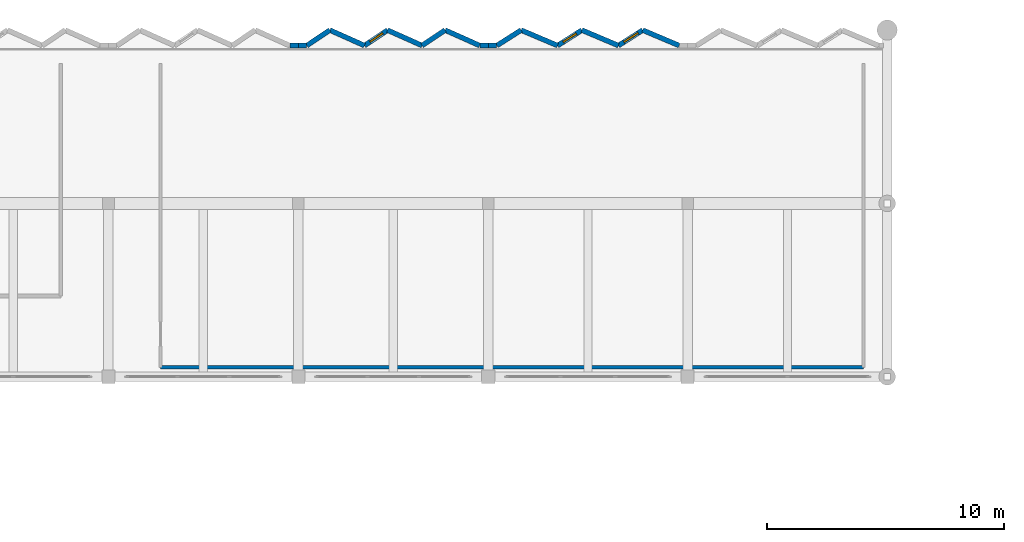
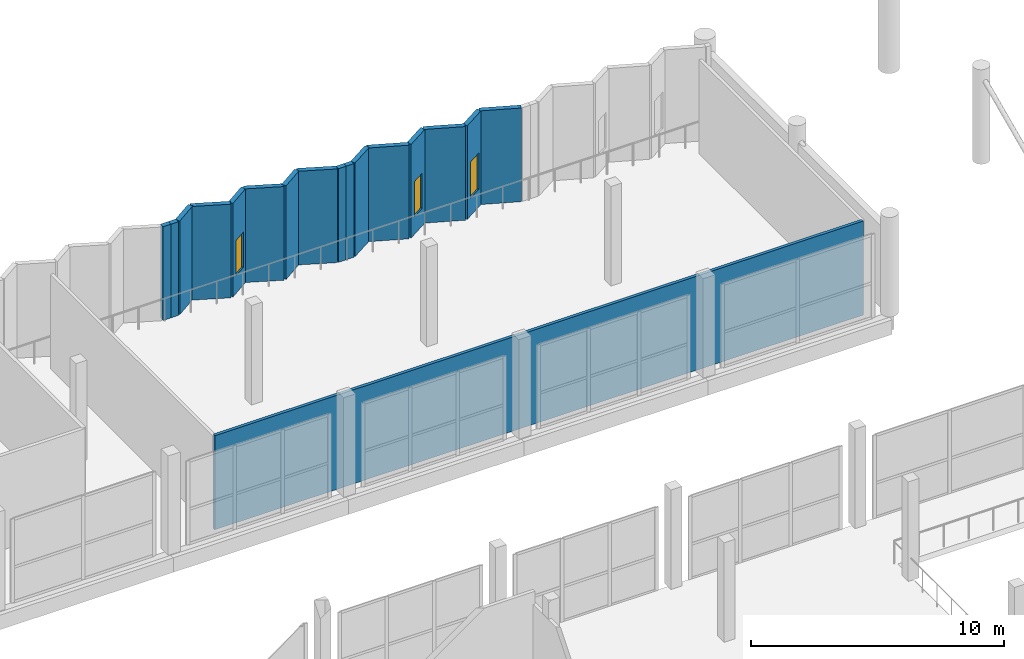
# One storey, part 36 of 47: 17 walls, 3 windows, 3 openings.
"""IFC4 building model written with IfcOpenShell, lengths in metres."""

from ifc_helpers import new_model, si_unit, direction, frame, frame_2d, origin, place, context, subcontext, project, spatial, rectangle, extrude, material, layer, layer_set, type_object, element, fill, save


model = new_model("IFC4")

# Units and contexts
model_context = context("Model", 3, precision=1e-05, world=origin(), true_north=direction((0.0, 1.0)))
body_context = subcontext(model_context, "Body", "Model", "MODEL_VIEW")
ifc_project = project(units=[si_unit("LENGTHUNIT", "METRE"), si_unit("AREAUNIT", "SQUARE_METRE"), si_unit("VOLUMEUNIT", "CUBIC_METRE"), si_unit("PLANEANGLEUNIT", "RADIAN"), si_unit("MASSUNIT", "GRAM", prefix="KILO")], contexts=[model_context])

# Site, building, storey
site_placement = place(None, origin())
site = spatial("IfcSite", under=ifc_project, at=site_placement, CompositionType="ELEMENT")
building_placement = place(site_placement, origin())
building = spatial("IfcBuilding", under=site, at=building_placement, Name="Vharandega Faculty of Natural Sciences", CompositionType="ELEMENT")
storey_placement = place(building_placement, frame((0.0, 0.0, 5.39990234375)))
storey = spatial("IfcBuildingStorey", under=building, at=storey_placement, Name="L01", CompositionType="ELEMENT", Elevation=5.39990234375)

# Walls
ifc_material_1 = material(Name="Precast concrete C40/50", Category="concrete")
ifc_layer_1 = layer(ifc_material_1, 0.2099609375, Name="Precast concrete C40/50")
ifc_layer_set_1 = layer_set([ifc_layer_1], Name="Precast concrete C40/50")
wall_type_1 = type_object("IfcWallType", Name="Commons Sawtooth Street Wall 210", PredefinedType="SOLIDWALL", material=ifc_layer_set_1)
for number, where, z_axis, x_axis, name in (
    (1, (47.64990234375, 110.949951171875, 0.0), (0.0, 0.0, 1.0), (1.0, 0.0, 0.0), "Exterior Wall EW-V2SHL-L01-7R"),
    (2, (48.0, 110.949951171875, 0.0), (0.0, 0.0, 1.0), (1.0, 0.0, 0.0), "Exterior Wall EW-V2SHL-L01-7L"),
    (3, (55.64990234375, 110.949951171875, 0.0), (0.0, 0.0, 1.0), (1.0, 0.0, 0.0), "Exterior Wall EW-V2SHL-L01-8R"),
    (4, (56.0, 110.949951171875, 0.0), (0.0, 0.0, 1.0), (1.0, 0.0, 0.0), "Exterior Wall EW-V2SHL-L01-8L"),
):
    element("IfcWall", number, at=place(storey_placement, frame(where, z_axis=z_axis, x_axis=x_axis)), inside=storey, type_object=wall_type_1, Name=name, PredefinedType="SOLIDWALL", context=body_context, shape_type="SweptSolid", body=[
        extrude(rectangle(XDim=0.35009765625, YDim=0.2099609375, at=frame_2d((0.175048828125, 0.0))), origin(), (0.0, 0.0, 1.0), 4.52001953125),
    ])
wall_1_placement = place(storey_placement, frame((48.360107421875, 110.949951171875, 0.0), z_axis=(0.0, 0.0, 1.0), x_axis=(0.830858868059, 0.556483190553, 0.0)))
element("IfcWall", 5, at=wall_1_placement, inside=storey, type_object=wall_type_1, Name="Exterior Wall EW-V2SAW-L01-19G", PredefinedType="SOLIDWALL", context=body_context, shape_type="SweptSolid", body=[
    extrude(rectangle(XDim=1.168212890625, YDim=0.2099609375, at=frame_2d((0.583984375, 0.0))), origin(), (0.0, 0.0, 1.0), 4.52001953125),
])
wall_2_placement = place(storey_placement, frame((49.330810546875, 111.60009765625, 0.0), z_axis=(0.0, 0.0, 1.0), x_axis=(0.913083928543, -0.407771675618, 0.0)))
element("IfcWall", 6, at=wall_2_placement, inside=storey, type_object=wall_type_1, Name="Exterior Wall EW-V2SAW-L01-19S", PredefinedType="SOLIDWALL", context=body_context, shape_type="SweptSolid", body=[
    extrude(rectangle(XDim=1.594482421875, YDim=0.2099609375, at=frame_2d((0.79736328125, 0.0))), origin(), (0.0, 0.0, 1.0), 4.52001953125),
])

# Wall, opening, window
wall_3_placement = place(storey_placement, frame((50.78662109375, 110.949951171875, 0.0), z_axis=(0.0, 0.0, 1.0), x_axis=(0.830858868059, 0.556483190553, 0.0)))
wall_3 = element("IfcWall", 7, at=wall_3_placement, inside=storey, type_object=wall_type_1, Name="Exterior Wall EW-V2SAW-L01-20G", PredefinedType="SOLIDWALL", context=body_context, shape_type="SweptSolid", body=[
    extrude(rectangle(XDim=1.168212890625, YDim=0.2099609375, at=frame_2d((0.583984375, 0.0))), origin(), (0.0, 0.0, 1.0), 4.52001953125),
])
opening_1_placement = place(wall_3_placement, frame((0.280029296875, 0.0, 0.85009765625)))
opening_1 = element("IfcOpeningElement", 8, at=opening_1_placement, cuts=wall_3, Name="Opening WN-07", PredefinedType="OPENING", context=body_context, shape_type="SweptSolid", body=[
    extrude(rectangle(XDim=0.64990234375, YDim=1.699951171875, at=frame_2d((0.324951171875, 0.85009765625))), frame((0.0, 0.114990234375, 0.0), z_axis=(0.0, -1.0, 0.0), x_axis=(1.0, 0.0, 0.0)), (0.0, 0.0, 1.0), 0.22998046875),
])
ifc_material_2 = material(Name="Double-glazed solar-control glass in thermally broken aluminium frame", Category="aluminium")
window_type_1 = type_object("IfcWindowType", Name="WIN-COM-065x170", PartitioningType="SINGLE_PANEL", PredefinedType="WINDOW", material=ifc_material_2)
window_1_placement = place(opening_1_placement, origin())
window_1 = element("IfcWindow", 9, at=window_1_placement, inside=storey, type_object=window_type_1, Name="Window WIN-L01-0165", OverallHeight=1.699951171875, OverallWidth=0.64990234375, PartitioningType="SINGLE_PANEL", PredefinedType="WINDOW", context=body_context, shape_type="SweptSolid", body=[
    extrude(rectangle(XDim=0.64990234375, YDim=1.699951171875, at=frame_2d((0.324951171875, 0.85009765625))), frame((0.0, 0.030029296875, 0.0), z_axis=(0.0, -1.0, 0.0), x_axis=(1.0, 0.0, 0.0)), (0.0, 0.0, 1.0), 0.06005859375),
])
fill(opening_1, window_1)

# Walls
wall_4_placement = place(storey_placement, frame((51.75732421875, 111.60009765625, 0.0), z_axis=(0.0, 0.0, 1.0), x_axis=(0.913109384471, -0.407714669826, 0.0)))
element("IfcWall", 10, at=wall_4_placement, inside=storey, type_object=wall_type_1, Name="Exterior Wall EW-V2SAW-L01-20S", PredefinedType="SOLIDWALL", context=body_context, shape_type="SweptSolid", body=[
    extrude(rectangle(XDim=1.5947265625, YDim=0.2099609375, at=frame_2d((0.79736328125, 0.0))), origin(), (0.0, 0.0, 1.0), 4.52001953125),
])
wall_5_placement = place(storey_placement, frame((53.21337890625, 110.949951171875, 0.0), z_axis=(0.0, 0.0, 1.0), x_axis=(0.830858868059, 0.556483190553, 0.0)))
element("IfcWall", 11, at=wall_5_placement, inside=storey, type_object=wall_type_1, Name="Exterior Wall EW-V2SAW-L01-21G", PredefinedType="SOLIDWALL", context=body_context, shape_type="SweptSolid", body=[
    extrude(rectangle(XDim=1.168212890625, YDim=0.2099609375, at=frame_2d((0.583984375, 0.0))), origin(), (0.0, 0.0, 1.0), 4.52001953125),
])
wall_6_placement = place(storey_placement, frame((54.18408203125, 111.60009765625, 0.0), z_axis=(0.0, 0.0, 1.0), x_axis=(0.913083928543, -0.407771675618, 0.0)))
element("IfcWall", 12, at=wall_6_placement, inside=storey, type_object=wall_type_1, Name="Exterior Wall EW-V2SAW-L01-21S", PredefinedType="SOLIDWALL", context=body_context, shape_type="SweptSolid", body=[
    extrude(rectangle(XDim=1.594482421875, YDim=0.2099609375, at=frame_2d((0.79736328125, 0.0))), origin(), (0.0, 0.0, 1.0), 4.52001953125),
])
wall_7_placement = place(storey_placement, frame((56.360107421875, 110.949951171875, 0.0), z_axis=(0.0, 0.0, 1.0), x_axis=(0.844199803058, 0.536028630315, 0.0)))
element("IfcWall", 13, at=wall_7_placement, inside=storey, type_object=wall_type_1, Name="Exterior Wall EW-V2SAW-L01-22G", PredefinedType="SOLIDWALL", context=body_context, shape_type="SweptSolid", body=[
    extrude(rectangle(XDim=1.212890625, YDim=0.2099609375, at=frame_2d((0.6064453125, 0.0))), origin(), (0.0, 0.0, 1.0), 4.52001953125),
])
wall_8_placement = place(storey_placement, frame((57.384033203125, 111.60009765625, 0.0), z_axis=(0.0, 0.0, 1.0), x_axis=(0.920892481687, -0.389816671234, 0.0)))
element("IfcWall", 14, at=wall_8_placement, inside=storey, type_object=wall_type_1, Name="Exterior Wall EW-V2SAW-L01-22S", PredefinedType="SOLIDWALL", context=body_context, shape_type="SweptSolid", body=[
    extrude(rectangle(XDim=1.667724609375, YDim=0.2099609375, at=frame_2d((0.833984375, 0.0))), origin(), (0.0, 0.0, 1.0), 4.52001953125),
])

# Wall, opening, window
wall_9_placement = place(storey_placement, frame((58.919921875, 110.949951171875, 0.0), z_axis=(0.0, 0.0, 1.0), x_axis=(0.844257623592, 0.535937557003, 0.0)))
wall_9 = element("IfcWall", 15, at=wall_9_placement, inside=storey, type_object=wall_type_1, Name="Exterior Wall EW-V2SAW-L01-23G", PredefinedType="SOLIDWALL", context=body_context, shape_type="SweptSolid", body=[
    extrude(rectangle(XDim=1.213134765625, YDim=0.2099609375, at=frame_2d((0.6064453125, 0.0))), origin(), (0.0, 0.0, 1.0), 4.52001953125),
])
opening_2_placement = place(wall_9_placement, frame((0.280029296875, 0.0, 0.85009765625)))
opening_2 = element("IfcOpeningElement", 16, at=opening_2_placement, cuts=wall_9, Name="Opening WN-07", PredefinedType="OPENING", context=body_context, shape_type="SweptSolid", body=[
    extrude(rectangle(XDim=0.64990234375, YDim=1.699951171875, at=frame_2d((0.324951171875, 0.85009765625))), frame((0.0, 0.114990234375, 0.0), z_axis=(0.0, -1.0, 0.0), x_axis=(1.0, 0.0, 0.0)), (0.0, 0.0, 1.0), 0.22998046875),
])
window_2_placement = place(opening_2_placement, origin())
window_2 = element("IfcWindow", 17, at=window_2_placement, inside=storey, type_object=window_type_1, Name="Window WIN-L01-0166", OverallHeight=1.699951171875, OverallWidth=0.64990234375, PartitioningType="SINGLE_PANEL", PredefinedType="WINDOW", context=body_context, shape_type="SweptSolid", body=[
    extrude(rectangle(XDim=0.64990234375, YDim=1.699951171875, at=frame_2d((0.324951171875, 0.85009765625))), frame((0.0, 0.030029296875, 0.0), z_axis=(0.0, -1.0, 0.0), x_axis=(1.0, 0.0, 0.0)), (0.0, 0.0, 1.0), 0.06005859375),
])
fill(opening_2, window_2)

# Wall
wall_10_placement = place(storey_placement, frame((59.944091796875, 111.60009765625, 0.0), z_axis=(0.0, 0.0, 1.0), x_axis=(0.920892481687, -0.389816671234, 0.0)))
element("IfcWall", 18, at=wall_10_placement, inside=storey, type_object=wall_type_1, Name="Exterior Wall EW-V2SAW-L01-23S", PredefinedType="SOLIDWALL", context=body_context, shape_type="SweptSolid", body=[
    extrude(rectangle(XDim=1.667724609375, YDim=0.2099609375, at=frame_2d((0.833984375, 0.0))), origin(), (0.0, 0.0, 1.0), 4.52001953125),
])

# Wall, opening, window
wall_11_placement = place(storey_placement, frame((61.47998046875, 110.949951171875, 0.0), z_axis=(0.0, 0.0, 1.0), x_axis=(0.844199803058, 0.536028630315, 0.0)))
wall_11 = element("IfcWall", 19, at=wall_11_placement, inside=storey, type_object=wall_type_1, Name="Exterior Wall EW-V2SAW-L01-24G", PredefinedType="SOLIDWALL", context=body_context, shape_type="SweptSolid", body=[
    extrude(rectangle(XDim=1.212890625, YDim=0.2099609375, at=frame_2d((0.6064453125, 0.0))), origin(), (0.0, 0.0, 1.0), 4.52001953125),
])
opening_3_placement = place(wall_11_placement, frame((0.280029296875, 0.0, 0.85009765625)))
opening_3 = element("IfcOpeningElement", 20, at=opening_3_placement, cuts=wall_11, Name="Opening WN-08", PredefinedType="OPENING", context=body_context, shape_type="SweptSolid", body=[
    extrude(rectangle(XDim=0.699951171875, YDim=1.75, at=frame_2d((0.35009765625, 0.875))), frame((0.0, 0.114990234375, 0.0), z_axis=(0.0, -1.0, 0.0), x_axis=(1.0, 0.0, 0.0)), (0.0, 0.0, 1.0), 0.22998046875),
])
ifc_material_3 = material(Name="Double-glazed solar-control glass in thermally broken aluminium frame", Category="aluminium")
window_type_2 = type_object("IfcWindowType", Name="WIN-COM-070x175", PartitioningType="SINGLE_PANEL", PredefinedType="WINDOW", material=ifc_material_3)
window_3_placement = place(opening_3_placement, origin())
window_3 = element("IfcWindow", 21, at=window_3_placement, inside=storey, type_object=window_type_2, Name="Window WIN-L01-0167", OverallHeight=1.75, OverallWidth=0.699951171875, PartitioningType="SINGLE_PANEL", PredefinedType="WINDOW", context=body_context, shape_type="SweptSolid", body=[
    extrude(rectangle(XDim=0.699951171875, YDim=1.75, at=frame_2d((0.35009765625, 0.875))), frame((0.0, 0.030029296875, 0.0), z_axis=(0.0, -1.0, 0.0), x_axis=(1.0, 0.0, 0.0)), (0.0, 0.0, 1.0), 0.06005859375),
])
fill(opening_3, window_3)

# Walls
wall_12_placement = place(storey_placement, frame((62.50390625, 111.60009765625, 0.0), z_axis=(0.0, 0.0, 1.0), x_axis=(0.920914721045, -0.389764129393, 0.0)))
element("IfcWall", 22, at=wall_12_placement, inside=storey, type_object=wall_type_1, Name="Exterior Wall EW-V2SAW-L01-24S", PredefinedType="SOLIDWALL", context=body_context, shape_type="SweptSolid", body=[
    extrude(rectangle(XDim=1.66796875, YDim=0.2099609375, at=frame_2d((0.833984375, 0.0))), origin(), (0.0, 0.0, 1.0), 4.52001953125),
])
ifc_material_4 = material(Name="Gypsum acoustic partition", Category="gypsum")
ifc_layer_2 = layer(ifc_material_4, 0.139892578125, Name="Gypsum acoustic partition")
ifc_layer_set_2 = layer_set([ifc_layer_2], Name="Gypsum acoustic partition")
wall_type_2 = type_object("IfcWallType", Name="Room Partition Wall 140", PredefinedType="PARTITIONING", material=ifc_layer_set_2)
wall_13_placement = place(storey_placement, frame((42.199951171875, 97.39990234375, 0.0), z_axis=(0.0, 0.0, 1.0), x_axis=(1.0, 0.0, 0.0)))
element("IfcWall", 23, at=wall_13_placement, inside=storey, type_object=wall_type_2, Name="Interior Wall PW-L01-R11S", PredefinedType="PARTITIONING", context=body_context, shape_type="SweptSolid", body=[
    extrude(rectangle(XDim=29.60009765625, YDim=0.139892578125, at=frame_2d((14.800048828125, 0.0))), origin(), (0.0, 0.0, 1.0), 4.5400390625),
])

save(model, "model.ifc")
